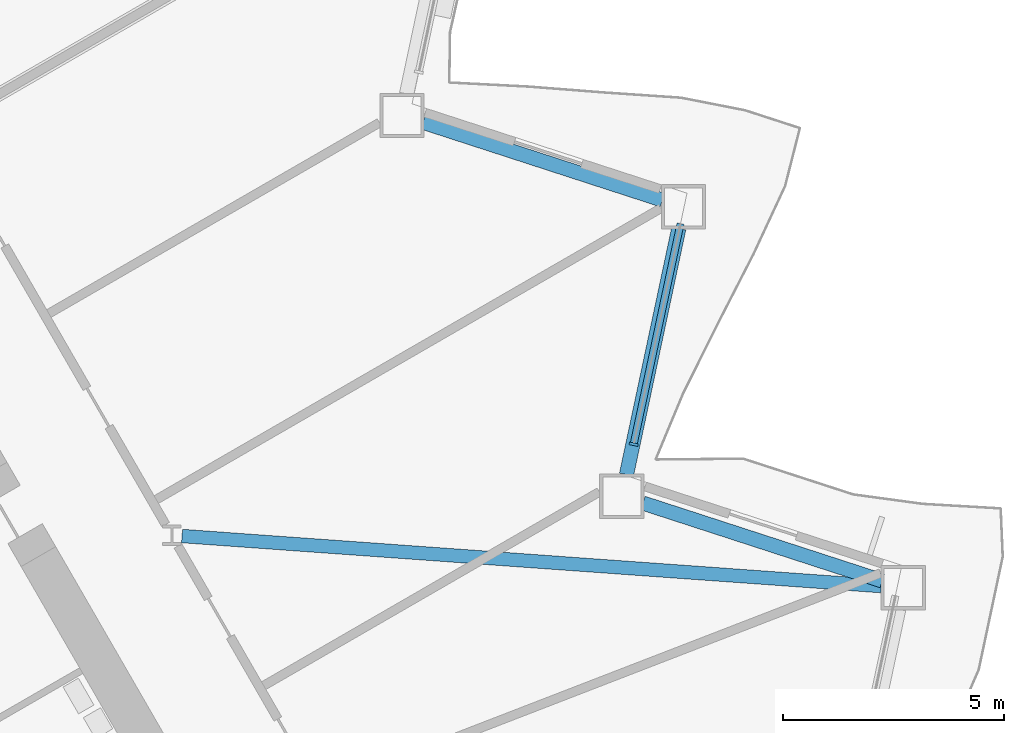
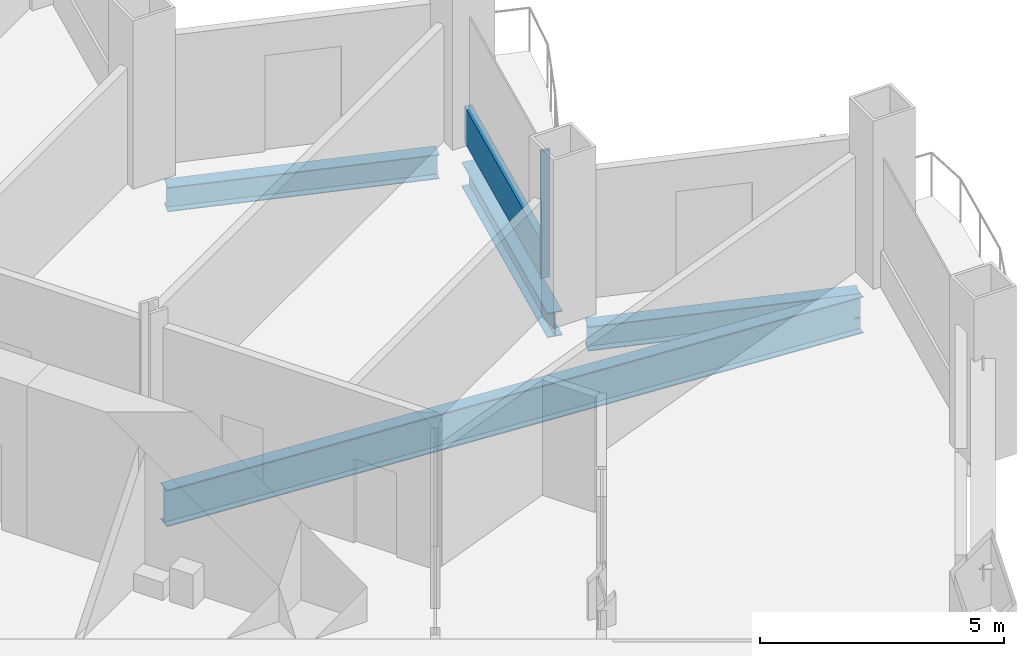
# One storey, part 5 of 21: 4 beams, 2 members, 1 element without a shape of its own.
"""IFC4 building model written with IfcOpenShell, lengths in metres."""

from ifc_helpers import new_model, si_unit, direction, frame, origin, origin_2d, place, context, subcontext, project, spatial, rectangle, i_section, extrude, material, layer, layer_set, material_profile, profile_set, type_object, element, aggregate, save


model = new_model("IFC4")

# Units and contexts
model_context = context("Model", 3, precision=1e-05, world=origin(), true_north=direction((0.0, 1.0)))
body_context = subcontext(model_context, "Body", "Model", "MODEL_VIEW")
ifc_project = project(units=[si_unit("LENGTHUNIT", "METRE"), si_unit("AREAUNIT", "SQUARE_METRE"), si_unit("VOLUMEUNIT", "CUBIC_METRE"), si_unit("PLANEANGLEUNIT", "RADIAN"), si_unit("MASSUNIT", "GRAM", prefix="KILO")], contexts=[model_context])

# Site, building, storey
site_placement = place(None, origin())
site = spatial("IfcSite", under=ifc_project, at=site_placement, CompositionType="ELEMENT")
building_placement = place(site_placement, origin())
building = spatial("IfcBuilding", under=site, at=building_placement, Name="Cormorant Prow Tower", CompositionType="ELEMENT")
storey_placement = place(building_placement, frame((0.0, 0.0, 51.0)))
storey = spatial("IfcBuildingStorey", under=building, at=storey_placement, Name="L10", CompositionType="ELEMENT", Elevation=51.0)

# Curtain wall, members
ifc_material_1 = material(Name="Aluminium 6063-T6", Category="aluminium")
ifc_layer = layer(ifc_material_1, 0.199951171875)
ifc_layer_set = layer_set([ifc_layer], Name="Aluminium 6063-T6")
curtain_wall_type = type_object("IfcCurtainWallType", Name="Office unitised curtain wall 200", PredefinedType="NOTDEFINED", material=ifc_layer_set)
curtain_wall_placement = place(storey_placement, origin())
curtain_wall = element("IfcCurtainWall", 1, at=curtain_wall_placement, inside=storey, type_object=curtain_wall_type, Name="Office curtain wall ENE02", PredefinedType="NOTDEFINED")
ifc_material_2 = material(Name="Aluminium 6063-T6", Category="aluminium")
ifc_material_profile_1 = material_profile(ifc_material_2, rectangle(XDim=0.199951171875, YDim=0.06005859375, at=origin_2d()), Name="Office mullion 60x200")
ifc_profile_set_1 = profile_set([ifc_material_profile_1], Name="Aluminium 6063-T6")
member_type_1 = type_object("IfcMemberType", Name="Office mullion 60x200", PredefinedType="MULLION", material=ifc_profile_set_1)
member_1_placement = place(storey_placement, frame((26.2998046875, -0.9970703125, 0.0), z_axis=(0.0, 0.0, 1.0), x_axis=(-0.978147599834, 0.207911695052, 0.0)))
member_1 = element("IfcMember", 2, at=member_1_placement, type_object=member_type_1, Name="Office mullion ENE02", PredefinedType="MULLION", context=body_context, shape_type="SweptSolid", body=[
    extrude(rectangle(XDim=0.199951171875, YDim=0.06005859375, at=origin_2d()), origin(), (0.0, 0.0, 1.0), 3.18896484375),
])
ifc_material_3 = material(Name="Terracotta", Category="masonry")
ifc_material_profile_2 = material_profile(ifc_material_3, rectangle(XDim=0.159912109375, YDim=0.89990234375, at=origin_2d()), Name="Office terracotta spandrel rail 160x900")
ifc_profile_set_2 = profile_set([ifc_material_profile_2], Name="Terracotta")
member_type_2 = type_object("IfcMemberType", Name="Office terracotta spandrel rail 160x900", PredefinedType="USERDEFINED", material=ifc_profile_set_2)
member_2_placement = place(storey_placement, frame((26.305908203125, -0.967529296875, 0.449951171875), z_axis=(0.20794178862, 0.978141202764, 0.0), x_axis=(-0.978141202764, 0.20794178862, 0.0)))
member_2 = element("IfcMember", 3, at=member_2_placement, type_object=member_type_2, Name="Office spandrel rail ENE02", ObjectType="TRANSOM", PredefinedType="USERDEFINED", context=body_context, shape_type="SweptSolid", body=[
    extrude(rectangle(XDim=0.159912109375, YDim=0.89990234375, at=origin_2d()), origin(), (0.0, 0.0, 1.0), 5.063720703125),
])
aggregate(curtain_wall, [member_1, member_2])

# Beams
ifc_material_4 = material(Name="Structural steel ASTM A992 Gr 50", Category="steel")
ifc_material_profile_3 = material_profile(ifc_material_4, i_section(OverallWidth=0.3046875, OverallDepth=0.914794921875, WebThickness=0.0166015625, FlangeThickness=0.02587890625, at=origin_2d()), Name="W36x160")
ifc_profile_set_3 = profile_set([ifc_material_profile_3], Name="Structural steel ASTM A992 Gr 50")
beam_type_1 = type_object("IfcBeamType", Name="Radial floor beam W36x160", PredefinedType="BEAM", material=ifc_profile_set_3)
beam_1_placement = place(storey_placement, frame((16.099365234375, -3.0703125, -0.857421875), z_axis=(0.997443412532, -0.071460750045, 0.0), x_axis=(0.071460750045, 0.997443412532, 0.0)))
element("IfcBeam", 4, at=beam_1_placement, inside=storey, type_object=beam_type_1, Name="Radial floor beam FB1 10 L10", PredefinedType="BEAM", context=body_context, shape_type="SweptSolid", body=[
    extrude(i_section(OverallWidth=0.3046875, OverallDepth=0.914794921875, WebThickness=0.0166015625, FlangeThickness=0.02587890625, at=origin_2d()), origin(), (0.0, 0.0, 1.0), 15.831787109375),
])
ifc_material_5 = material(Name="Structural steel ASTM A992 Gr 50", Category="steel")
ifc_material_profile_4 = material_profile(ifc_material_5, i_section(OverallWidth=0.32373046875, OverallDepth=0.611083984375, WebThickness=0.0126953125, FlangeThickness=0.01904296875, at=origin_2d()), Name="W24x104")
ifc_profile_set_4 = profile_set([ifc_material_profile_4], Name="Structural steel ASTM A992 Gr 50")
beam_type_2 = type_object("IfcBeamType", Name="Spandrel beam W24x104", PredefinedType="SPANDREL", material=ifc_profile_set_4)
beam_2_placement = place(storey_placement, frame((31.913818359375, -4.082763671875, -0.70556640625), z_axis=(-0.951049222751, 0.309039440696, 0.0), x_axis=(-0.309039440696, -0.951049222751, 0.0)))
element("IfcBeam", 5, at=beam_2_placement, inside=storey, type_object=beam_type_2, Name="Spandrel beam SB1 ENE01-ENE02 L10", PredefinedType="SPANDREL", context=body_context, shape_type="SweptSolid", body=[
    extrude(i_section(OverallWidth=0.32373046875, OverallDepth=0.611083984375, WebThickness=0.0126953125, FlangeThickness=0.01904296875, at=origin_2d()), origin(), (0.0, 0.0, 1.0), 5.682373046875),
])
beam_3_placement = place(storey_placement, frame((26.137939453125, -1.68310546875, -0.70556640625), z_axis=(0.207900376723, 0.97815000555, 0.0), x_axis=(-0.97815000555, 0.207900376723, 0.0)))
element("IfcBeam", 6, at=beam_3_placement, inside=storey, type_object=beam_type_2, Name="Spandrel beam SB1 ENE02-ENE03 L10", PredefinedType="SPANDREL", context=body_context, shape_type="SweptSolid", body=[
    extrude(i_section(OverallWidth=0.32373046875, OverallDepth=0.611083984375, WebThickness=0.0126953125, FlangeThickness=0.01904296875, at=origin_2d()), origin(), (0.0, 0.0, 1.0), 5.6826171875),
])
beam_4_placement = place(storey_placement, frame((26.94775390625, 4.518798828125, -0.70556640625), z_axis=(-0.951061849722, 0.309000579292, 0.0), x_axis=(-0.309000579292, -0.951061849722, 0.0)))
element("IfcBeam", 7, at=beam_4_placement, inside=storey, type_object=beam_type_2, Name="Spandrel beam SB1 ENE03-ENE04 L10", PredefinedType="SPANDREL", context=body_context, shape_type="SweptSolid", body=[
    extrude(i_section(OverallWidth=0.32373046875, OverallDepth=0.611083984375, WebThickness=0.0126953125, FlangeThickness=0.01904296875, at=origin_2d()), origin(), (0.0, 0.0, 1.0), 5.682373046875),
])

save(model, "model.ifc")
